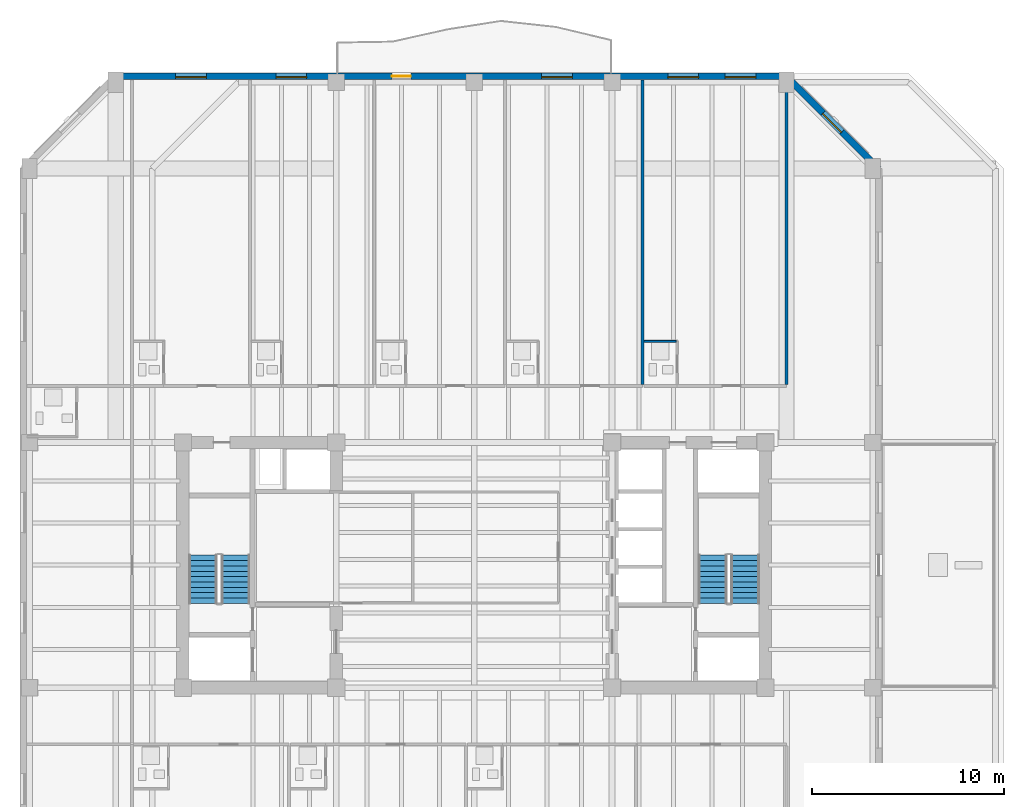
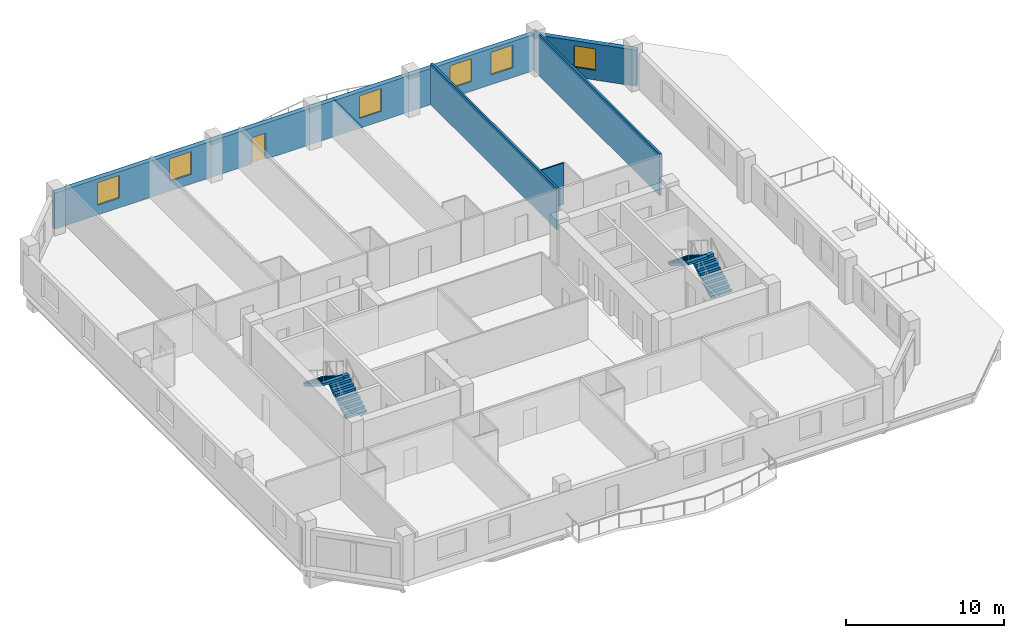
# One storey, part 6 of 11: 6 windows, 5 walls, 4 stair flights, 1 door, 7 openings, 2 elements without a shape of their own.
"""IFC4 building model written with IfcOpenShell, lengths in metres."""

from ifc_helpers import new_model, si_unit, direction, frame, frame_2d, origin, place, context, subcontext, project, spatial, polyline, rectangle, outline, extrude, material, layer, layer_set, type_object, element, fill, aggregate, save


model = new_model("IFC4")

# Units and contexts
model_context = context("Model", 3, precision=1e-05, world=origin(), true_north=direction((0.0, 1.0)))
body_context = subcontext(model_context, "Body", "Model", "MODEL_VIEW")
ifc_project = project(units=[si_unit("LENGTHUNIT", "METRE"), si_unit("AREAUNIT", "SQUARE_METRE"), si_unit("VOLUMEUNIT", "CUBIC_METRE"), si_unit("PLANEANGLEUNIT", "RADIAN"), si_unit("MASSUNIT", "GRAM", prefix="KILO")], contexts=[model_context])

# Site, building, storey
site_placement = place(None, origin())
site = spatial("IfcSite", under=ifc_project, at=site_placement, CompositionType="ELEMENT")
building_placement = place(site_placement, origin())
building = spatial("IfcBuilding", under=site, at=building_placement, Name="Kranthara Brick Stack", CompositionType="ELEMENT")
storey_placement = place(building_placement, frame((0.0, 0.0, 183.300048828125)))
storey = spatial("IfcBuildingStorey", under=building, at=storey_placement, Name="L47", CompositionType="ELEMENT", Elevation=183.300048828125)

# Wall, openings, door, windows
ifc_material_1 = material(Name="Kiln-fired clay brick masonry M15", Category="masonry")
ifc_layer_1 = layer(ifc_material_1, 0.35009765625)
ifc_layer_set_1 = layer_set([ifc_layer_1], Name="Kiln-fired clay brick masonry M15")
wall_type_1 = type_object("IfcWallType", Name="WL-BRK-SPND-350", PredefinedType="STANDARD", material=ifc_layer_set_1)
wall_1_placement = place(storey_placement, frame((9.300048828125, 52.705078125, 0.0), z_axis=(0.0, 0.0, 1.0), x_axis=(1.0, 0.0, 0.0)))
wall_1 = element("IfcWall", 1, at=wall_1_placement, inside=storey, type_object=wall_type_1, Name="L47 Exterior Brick Facade Wall NORTH 1", PredefinedType="STANDARD", context=body_context, shape_type="SweptSolid", body=[
    extrude(rectangle(XDim=35.0, YDim=0.35009765625, at=frame_2d((17.5, 0.0))), origin(), (0.0, 0.0, 1.0), 2.784912109375),
])
opening_1_placement = place(wall_1_placement, frame((14.39990234375, 0.0, 0.0)))
opening_1 = element("IfcOpeningElement", 2, at=opening_1_placement, cuts=wall_1, Name="Opening D03", PredefinedType="OPENING", context=body_context, shape_type="SweptSolid", body=[
    extrude(rectangle(XDim=1.0, YDim=2.02001953125, at=frame_2d((0.5, 1.010009765625))), frame((0.0, 0.18505859375, 0.0), z_axis=(0.0, -1.0, 0.0), x_axis=(1.0, 0.0, 0.0)), (0.0, 0.0, 1.0), 0.3701171875),
])
opening_2_placement = place(wall_1_placement, frame((3.123046875, 0.0, 0.75)))
opening_2 = element("IfcOpeningElement", 3, at=opening_2_placement, cuts=wall_1, Name="Opening WN04", PredefinedType="OPENING", context=body_context, shape_type="SweptSolid", body=[
    extrude(rectangle(XDim=1.60009765625, YDim=1.75, at=frame_2d((0.800048828125, 0.875))), frame((0.0, 0.18505859375, 0.0), z_axis=(0.0, -1.0, 0.0), x_axis=(1.0, 0.0, 0.0)), (0.0, 0.0, 1.0), 0.3701171875),
])
opening_3_placement = place(wall_1_placement, frame((8.361083984375, 0.0, 0.75)))
opening_3 = element("IfcOpeningElement", 4, at=opening_3_placement, cuts=wall_1, Name="Opening WN04", PredefinedType="OPENING", context=body_context, shape_type="SweptSolid", body=[
    extrude(rectangle(XDim=1.60009765625, YDim=1.75, at=frame_2d((0.800048828125, 0.875))), frame((0.0, 0.18505859375, 0.0), z_axis=(0.0, -1.0, 0.0), x_axis=(1.0, 0.0, 0.0)), (0.0, 0.0, 1.0), 0.3701171875),
])
opening_4_placement = place(wall_1_placement, frame((22.219970703125, 0.0, 0.75)))
opening_4 = element("IfcOpeningElement", 5, at=opening_4_placement, cuts=wall_1, Name="Opening WN04", PredefinedType="OPENING", context=body_context, shape_type="SweptSolid", body=[
    extrude(rectangle(XDim=1.60009765625, YDim=1.75, at=frame_2d((0.800048828125, 0.875))), frame((0.0, 0.18505859375, 0.0), z_axis=(0.0, -1.0, 0.0), x_axis=(1.0, 0.0, 0.0)), (0.0, 0.0, 1.0), 0.3701171875),
])
opening_5_placement = place(wall_1_placement, frame((28.80908203125, 0.0, 0.75)))
opening_5 = element("IfcOpeningElement", 6, at=opening_5_placement, cuts=wall_1, Name="Opening WN04", PredefinedType="OPENING", context=body_context, shape_type="SweptSolid", body=[
    extrude(rectangle(XDim=1.60009765625, YDim=1.75, at=frame_2d((0.800048828125, 0.875))), frame((0.0, 0.18505859375, 0.0), z_axis=(0.0, -1.0, 0.0), x_axis=(1.0, 0.0, 0.0)), (0.0, 0.0, 1.0), 0.3701171875),
])
opening_6_placement = place(wall_1_placement, frame((31.802978515625, 0.0, 0.75)))
opening_6 = element("IfcOpeningElement", 7, at=opening_6_placement, cuts=wall_1, Name="Opening WN04", PredefinedType="OPENING", context=body_context, shape_type="SweptSolid", body=[
    extrude(rectangle(XDim=1.60009765625, YDim=1.75, at=frame_2d((0.800048828125, 0.875))), frame((0.0, 0.18505859375, 0.0), z_axis=(0.0, -1.0, 0.0), x_axis=(1.0, 0.0, 0.0)), (0.0, 0.0, 1.0), 0.3701171875),
])
ifc_material_2 = material(Name="Bronze anodised aluminium and laminated glass", Category="aluminium")
door_type = type_object("IfcDoorType", Name="DR-BALC-1000", OperationType="NOTDEFINED", PredefinedType="DOOR", material=ifc_material_2)
door_placement = place(opening_1_placement, origin())
door = element("IfcDoor", 8, at=door_placement, inside=storey, type_object=door_type, Name="L47 North Balcony Terrace Door", OperationType="SINGLE_SWING_RIGHT", OverallHeight=2.02001953125, OverallWidth=1.0, PredefinedType="DOOR", context=body_context, shape_type="SweptSolid", body=[
    extrude(rectangle(XDim=1.0, YDim=2.02001953125, at=frame_2d((0.5, 1.010009765625))), frame((0.0, 0.02490234375, 0.0), z_axis=(0.0, -1.0, 0.0), x_axis=(1.0, 0.0, 0.0)), (0.0, 0.0, 1.0), 0.050048828125),
])
fill(opening_1, door)
ifc_material_3 = material(Name="Double-glazed low-E solar control glass", Category="glass")
window_type_1 = type_object("IfcWindowType", Name="WN-HTL-1600x1850", PartitioningType="DOUBLE_PANEL_VERTICAL", PredefinedType="WINDOW", material=ifc_material_3)
window_1_placement = place(opening_2_placement, origin())
window_1 = element("IfcWindow", 9, at=window_1_placement, inside=storey, type_object=window_type_1, Name="L47 North Deep-Set Brick Window 01", OverallHeight=1.75, OverallWidth=1.60009765625, PartitioningType="SINGLE_PANEL", PredefinedType="WINDOW", context=body_context, shape_type="SweptSolid", body=[
    extrude(rectangle(XDim=1.60009765625, YDim=1.75, at=frame_2d((0.800048828125, 0.875))), frame((0.0, -0.010009765625, 0.0), z_axis=(0.0, -1.0, 0.0), x_axis=(1.0, 0.0, 0.0)), (0.0, 0.0, 1.0), 0.06005859375),
])
fill(opening_2, window_1)
window_2_placement = place(opening_3_placement, origin())
window_2 = element("IfcWindow", 10, at=window_2_placement, inside=storey, type_object=window_type_1, Name="L47 North Deep-Set Brick Window 02", OverallHeight=1.75, OverallWidth=1.60009765625, PartitioningType="SINGLE_PANEL", PredefinedType="WINDOW", context=body_context, shape_type="SweptSolid", body=[
    extrude(rectangle(XDim=1.60009765625, YDim=1.75, at=frame_2d((0.800048828125, 0.875))), frame((0.0, -0.010009765625, 0.0), z_axis=(0.0, -1.0, 0.0), x_axis=(1.0, 0.0, 0.0)), (0.0, 0.0, 1.0), 0.06005859375),
])
fill(opening_3, window_2)
window_3_placement = place(opening_4_placement, origin())
window_3 = element("IfcWindow", 11, at=window_3_placement, inside=storey, type_object=window_type_1, Name="L47 North Deep-Set Brick Window 03", OverallHeight=1.75, OverallWidth=1.60009765625, PartitioningType="SINGLE_PANEL", PredefinedType="WINDOW", context=body_context, shape_type="SweptSolid", body=[
    extrude(rectangle(XDim=1.60009765625, YDim=1.75, at=frame_2d((0.800048828125, 0.875))), frame((0.0, -0.010009765625, 0.0), z_axis=(0.0, -1.0, 0.0), x_axis=(1.0, 0.0, 0.0)), (0.0, 0.0, 1.0), 0.06005859375),
])
fill(opening_4, window_3)
window_4_placement = place(opening_5_placement, origin())
window_4 = element("IfcWindow", 12, at=window_4_placement, inside=storey, type_object=window_type_1, Name="L47 North Deep-Set Brick Window 04", OverallHeight=1.75, OverallWidth=1.60009765625, PartitioningType="SINGLE_PANEL", PredefinedType="WINDOW", context=body_context, shape_type="SweptSolid", body=[
    extrude(rectangle(XDim=1.60009765625, YDim=1.75, at=frame_2d((0.800048828125, 0.875))), frame((0.0, -0.010009765625, 0.0), z_axis=(0.0, -1.0, 0.0), x_axis=(1.0, 0.0, 0.0)), (0.0, 0.0, 1.0), 0.06005859375),
])
fill(opening_5, window_4)
window_5_placement = place(opening_6_placement, origin())
window_5 = element("IfcWindow", 13, at=window_5_placement, inside=storey, type_object=window_type_1, Name="L47 North Deep-Set Brick Window 05", OverallHeight=1.75, OverallWidth=1.60009765625, PartitioningType="SINGLE_PANEL", PredefinedType="WINDOW", context=body_context, shape_type="SweptSolid", body=[
    extrude(rectangle(XDim=1.60009765625, YDim=1.75, at=frame_2d((0.800048828125, 0.875))), frame((0.0, -0.010009765625, 0.0), z_axis=(0.0, -1.0, 0.0), x_axis=(1.0, 0.0, 0.0)), (0.0, 0.0, 1.0), 0.06005859375),
])
fill(opening_6, window_5)

# Wall, opening, window
wall_2_placement = place(storey_placement, frame((44.300048828125, 52.705078125, 0.0), z_axis=(0.0, 0.0, 1.0), x_axis=(0.707088817216, -0.7071247447, 0.0)))
wall_2 = element("IfcWall", 14, at=wall_2_placement, inside=storey, type_object=wall_type_1, Name="L47 Exterior Brick Facade Wall NE 1", PredefinedType="STANDARD", context=body_context, shape_type="SweptSolid", body=[
    extrude(rectangle(XDim=6.79541015625, YDim=0.35009765625, at=frame_2d((3.397705078125, 0.0))), origin(), (0.0, 0.0, 1.0), 2.784912109375),
])
opening_7_placement = place(wall_2_placement, frame((2.697998046875, 0.0, 0.75)))
opening_7 = element("IfcOpeningElement", 15, at=opening_7_placement, cuts=wall_2, Name="Opening WN10", PredefinedType="OPENING", context=body_context, shape_type="SweptSolid", body=[
    extrude(rectangle(XDim=1.39990234375, YDim=1.64990234375, at=frame_2d((0.699951171875, 0.824951171875))), frame((0.0, 0.18505859375, 0.0), z_axis=(0.0, -1.0, 0.0), x_axis=(1.0, 0.0, 0.0)), (0.0, 0.0, 1.0), 0.3701171875),
])
ifc_material_4 = material(Name="Double-glazed low-E solar control glass", Category="glass")
window_type_2 = type_object("IfcWindowType", Name="WN-CHM-1400x1750", PartitioningType="SINGLE_PANEL", PredefinedType="WINDOW", material=ifc_material_4)
window_6_placement = place(opening_7_placement, origin())
window_6 = element("IfcWindow", 16, at=window_6_placement, inside=storey, type_object=window_type_2, Name="L47 NE Chamfer Corner Window", OverallHeight=1.64990234375, OverallWidth=1.39990234375, PartitioningType="SINGLE_PANEL", PredefinedType="WINDOW", context=body_context, shape_type="SweptSolid", body=[
    extrude(rectangle(XDim=1.39990234375, YDim=1.64990234375, at=frame_2d((0.699951171875, 0.824951171875))), frame((0.0, -0.010009765625, 0.0), z_axis=(0.0, -1.0, 0.0), x_axis=(1.0, 0.0, 0.0)), (0.0, 0.0, 1.0), 0.06005859375),
])
fill(opening_7, window_6)

# Walls
ifc_material_5 = material(Name="Moisture-resistant wet-room partition", Category="other")
ifc_layer_2 = layer(ifc_material_5, 0.10009765625)
ifc_layer_set_2 = layer_set([ifc_layer_2], Name="Moisture-resistant wet-room partition")
wall_type_2 = type_object("IfcWallType", Name="WL-PART-100", PredefinedType="PARTITIONING", material=ifc_layer_set_2)
wall_3_placement = place(storey_placement, frame((36.866943359375, 38.8798828125, 0.0), z_axis=(0.0, 0.0, 1.0), x_axis=(1.0, 0.0, 0.0)))
element("IfcWall", 17, at=wall_3_placement, inside=storey, type_object=wall_type_2, Name="L47 Interior Partition 047", PredefinedType="PARTITIONING", context=body_context, shape_type="SweptSolid", body=[
    extrude(rectangle(XDim=1.668212890625, YDim=0.10009765625, at=frame_2d((0.833984375, 0.0))), origin(), (0.0, 0.0, 1.0), 3.199951171875),
])
ifc_material_6 = material(Name="Fire-rated gypsum board partition", Category="other")
ifc_layer_3 = layer(ifc_material_6, 0.14990234375)
ifc_layer_set_3 = layer_set([ifc_layer_3], Name="Fire-rated gypsum board partition")
wall_type_3 = type_object("IfcWallType", Name="WL-PART-150", PredefinedType="PARTITIONING", material=ifc_layer_set_3)
for number, where, z_axis, x_axis, name in (
    (18, (36.787109375, 36.6298828125, 0.0), (0.0, 0.0, 1.0), (0.0, 1.0, 0.0), "L47 Interior Partition 043"),
    (19, (44.300048828125, 36.6298828125, 0.0), (0.0, 0.0, 1.0), (0.0, 1.0, 0.0), "L47 Interior Partition 048"),
):
    element("IfcWall", number, at=place(storey_placement, frame(where, z_axis=z_axis, x_axis=x_axis)), inside=storey, type_object=wall_type_3, Name=name, PredefinedType="PARTITIONING", context=body_context, shape_type="SweptSolid", body=[
        extrude(rectangle(XDim=15.89501953125, YDim=0.14990234375, at=frame_2d((7.947509765625, 0.0))), origin(), (0.0, 0.0, 1.0), 3.199951171875),
    ])

# Stair, stair flights
ifc_material_7 = material(Name="Concrete C45/55", Category="concrete")
stair_type = type_object("IfcStairType", Name="ST-CORE-20R", PredefinedType="HALF_TURN_STAIR", material=ifc_material_7)
stair_1_placement = place(storey_placement, origin())
stair_1 = element("IfcStair", 20, at=stair_1_placement, inside=storey, type_object=stair_type, Name="L47 West Core Protected Exit Stair ST01", PredefinedType="HALF_TURN_STAIR")
ifc_material_8 = material(Name="Concrete C45/55", Category="concrete")
stair_flight_type = type_object("IfcStairFlightType", Name="SFL-RC-20R", PredefinedType="STRAIGHT", material=ifc_material_8)
stair_flight_1_placement = place(storey_placement, frame((15.550048828125, 25.199951171875, 0.0), z_axis=(0.0, 0.0, 1.0), x_axis=(0.0, 1.0, 0.0)))
stair_flight_1 = element("IfcStairFlight", 21, at=stair_flight_1_placement, type_object=stair_flight_type, Name="ST01 flight 1", NumberOfRisers=10, NumberOfTreads=9, PredefinedType="STRAIGHT", RiserHeight=0.175, TreadLength=0.28, context=body_context, shape_type="SweptSolid", body=[
    extrude(outline(polyline([(0.0, 0.0), (0.0, 0.175048828125), (0.280029296875, 0.175048828125), (0.280029296875, 0.35009765625), (0.56005859375, 0.35009765625), (0.56005859375, 0.52490234375), (0.840087890625, 0.52490234375), (0.840087890625, 0.699951171875), (1.1201171875, 0.699951171875), (1.1201171875, 0.875), (1.39990234375, 0.875), (1.39990234375, 1.050048828125), (1.679931640625, 1.050048828125), (1.679931640625, 1.22509765625), (1.9599609375, 1.22509765625), (1.9599609375, 1.39990234375), (2.239990234375, 1.39990234375), (2.239990234375, 1.574951171875), (2.52001953125, 1.574951171875), (2.52001953125, 1.75), (2.52001953125, 1.398193359375), (0.28271484375, 0.0), (0.0, 0.0)])), frame((0.0, 0.75, 0.0), z_axis=(0.0, -1.0, 0.0), x_axis=(1.0, 0.0, 0.0)), (0.0, 0.0, 1.0), 1.5),
])
stair_flight_2_placement = place(storey_placement, frame((13.85009765625, 27.719970703125, 1.75), z_axis=(0.0, 0.0, 1.0), x_axis=(0.0, -1.0, 0.0)))
stair_flight_2 = element("IfcStairFlight", 22, at=stair_flight_2_placement, type_object=stair_flight_type, Name="ST01 flight 2", NumberOfRisers=10, NumberOfTreads=9, PredefinedType="STRAIGHT", RiserHeight=0.175, TreadLength=0.28, context=body_context, shape_type="SweptSolid", body=[
    extrude(outline(polyline([(0.0, 0.0), (0.0, 0.175048828125), (0.280029296875, 0.175048828125), (0.280029296875, 0.35009765625), (0.56005859375, 0.35009765625), (0.56005859375, 0.52490234375), (0.840087890625, 0.52490234375), (0.840087890625, 0.699951171875), (1.1201171875, 0.699951171875), (1.1201171875, 0.875), (1.39990234375, 0.875), (1.39990234375, 1.050048828125), (1.679931640625, 1.050048828125), (1.679931640625, 1.22509765625), (1.9599609375, 1.22509765625), (1.9599609375, 1.39990234375), (2.239990234375, 1.39990234375), (2.239990234375, 1.574951171875), (2.52001953125, 1.574951171875), (2.52001953125, 1.75), (2.52001953125, 1.398193359375), (0.28271484375, 0.0), (0.0, 0.0)])), frame((0.0, 0.75, 0.0), z_axis=(0.0, -1.0, 0.0), x_axis=(1.0, 0.0, 0.0)), (0.0, 0.0, 1.0), 1.5),
])
aggregate(stair_1, [stair_flight_1, stair_flight_2])

stair_2_placement = place(storey_placement, origin())
stair_2 = element("IfcStair", 23, at=stair_2_placement, inside=storey, type_object=stair_type, Name="L47 East Core Protected Exit Stair ST02", PredefinedType="HALF_TURN_STAIR")
stair_flight_3_placement = place(storey_placement, frame((42.14990234375, 25.199951171875, 0.0), z_axis=(0.0, 0.0, 1.0), x_axis=(0.0, 1.0, 0.0)))
stair_flight_3 = element("IfcStairFlight", 24, at=stair_flight_3_placement, type_object=stair_flight_type, Name="ST02 flight 1", NumberOfRisers=10, NumberOfTreads=9, PredefinedType="STRAIGHT", RiserHeight=0.175, TreadLength=0.28, context=body_context, shape_type="SweptSolid", body=[
    extrude(outline(polyline([(0.0, 0.0), (0.0, 0.175048828125), (0.280029296875, 0.175048828125), (0.280029296875, 0.35009765625), (0.56005859375, 0.35009765625), (0.56005859375, 0.52490234375), (0.840087890625, 0.52490234375), (0.840087890625, 0.699951171875), (1.1201171875, 0.699951171875), (1.1201171875, 0.875), (1.39990234375, 0.875), (1.39990234375, 1.050048828125), (1.679931640625, 1.050048828125), (1.679931640625, 1.22509765625), (1.9599609375, 1.22509765625), (1.9599609375, 1.39990234375), (2.239990234375, 1.39990234375), (2.239990234375, 1.574951171875), (2.52001953125, 1.574951171875), (2.52001953125, 1.75), (2.52001953125, 1.398193359375), (0.28271484375, 0.0), (0.0, 0.0)])), frame((0.0, 0.75, 0.0), z_axis=(0.0, -1.0, 0.0), x_axis=(1.0, 0.0, 0.0)), (0.0, 0.0, 1.0), 1.5),
])
stair_flight_4_placement = place(storey_placement, frame((40.449951171875, 27.719970703125, 1.75), z_axis=(0.0, 0.0, 1.0), x_axis=(0.0, -1.0, 0.0)))
stair_flight_4 = element("IfcStairFlight", 25, at=stair_flight_4_placement, type_object=stair_flight_type, Name="ST02 flight 2", NumberOfRisers=10, NumberOfTreads=9, PredefinedType="STRAIGHT", RiserHeight=0.175, TreadLength=0.28, context=body_context, shape_type="SweptSolid", body=[
    extrude(outline(polyline([(0.0, 0.0), (0.0, 0.175048828125), (0.280029296875, 0.175048828125), (0.280029296875, 0.35009765625), (0.56005859375, 0.35009765625), (0.56005859375, 0.52490234375), (0.840087890625, 0.52490234375), (0.840087890625, 0.699951171875), (1.1201171875, 0.699951171875), (1.1201171875, 0.875), (1.39990234375, 0.875), (1.39990234375, 1.050048828125), (1.679931640625, 1.050048828125), (1.679931640625, 1.22509765625), (1.9599609375, 1.22509765625), (1.9599609375, 1.39990234375), (2.239990234375, 1.39990234375), (2.239990234375, 1.574951171875), (2.52001953125, 1.574951171875), (2.52001953125, 1.75), (2.52001953125, 1.398193359375), (0.28271484375, 0.0), (0.0, 0.0)])), frame((0.0, 0.75, 0.0), z_axis=(0.0, -1.0, 0.0), x_axis=(1.0, 0.0, 0.0)), (0.0, 0.0, 1.0), 1.5),
])
aggregate(stair_2, [stair_flight_3, stair_flight_4])

save(model, "model.ifc")
